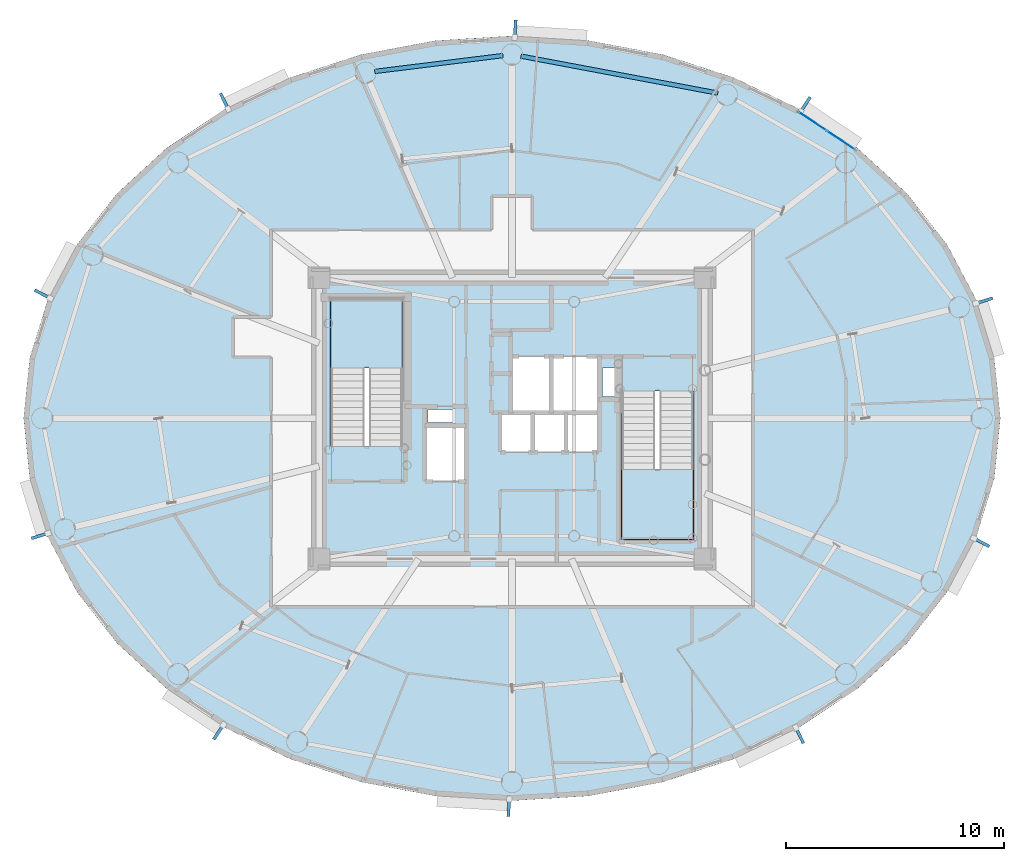
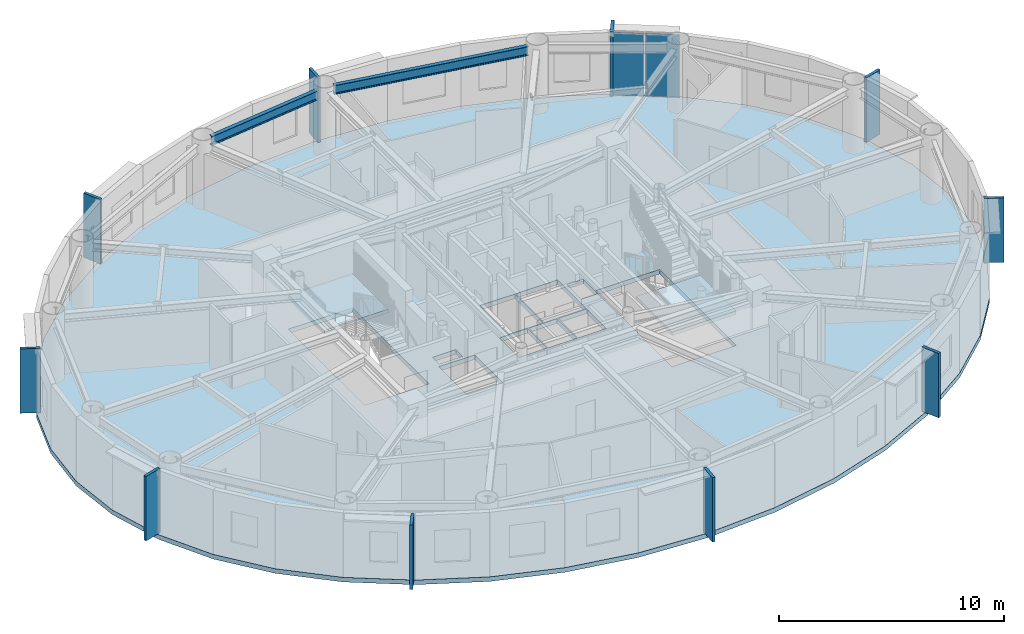
# One storey, part 4 of 17: 12 plates, 3 slabs, 2 beams, 3 elements without a shape of their own.
"""IFC4 building model written with IfcOpenShell, lengths in metres."""

from ifc_helpers import new_model, si_unit, direction, frame, origin, origin_2d, place, context, subcontext, project, spatial, polyline, rectangle, i_section, outline, extrude, source, transform, mapped, material, layer, layer_set, material_profile, profile_set, type_object, element, aggregate, save


model = new_model("IFC4")

# Units and contexts
model_context = context("Model", 3, precision=1e-05, world=origin(), true_north=direction((0.0, 1.0)))
body_context = subcontext(model_context, "Body", "Model", "MODEL_VIEW")
ifc_project = project(units=[si_unit("LENGTHUNIT", "METRE"), si_unit("AREAUNIT", "SQUARE_METRE"), si_unit("VOLUMEUNIT", "CUBIC_METRE"), si_unit("PLANEANGLEUNIT", "RADIAN"), si_unit("MASSUNIT", "GRAM", prefix="KILO")], contexts=[model_context])

# Site, building, storey
site_placement = place(None, origin())
site = spatial("IfcSite", under=ifc_project, at=site_placement, CompositionType="ELEMENT")
building_placement = place(site_placement, origin())
building = spatial("IfcBuilding", under=site, at=building_placement, Name="Linh Dai School and Residence Tower", CompositionType="ELEMENT")
storey_placement = place(building_placement, frame((0.0, 0.0, 310.5)))
storey = spatial("IfcBuildingStorey", under=building, at=storey_placement, Name="L77", CompositionType="ELEMENT", Elevation=310.5)

# Beams
ifc_material_1 = material(Name="Structural Steel S355JR", Category="steel")
ifc_material_profile = material_profile(ifc_material_1, i_section(OverallWidth=0.199951171875, OverallDepth=0.5, WebThickness=0.01025390625, FlangeThickness=0.01611328125, FilletRadius=0.02099609375, at=origin_2d()), Name="IPE 500")
ifc_profile_set = profile_set([ifc_material_profile], Name="Structural Steel S355JR")
beam_type = type_object("IfcBeamType", Name="BM-RB50", PredefinedType="BEAM", material=ifc_profile_set)
beam_1_placement = place(storey_placement, frame((45.441650390625, 41.916259765625, 3.25), z_axis=(-0.982805333306, 0.184644731378, 0.0), x_axis=(-0.184644731378, -0.982805333306, 0.0)))
element("IfcBeam", 1, at=beam_1_placement, inside=storey, type_object=beam_type, Name="L77 Perimeter Elliptical Ring Beam 04", PredefinedType="BEAM", context=body_context, shape_type="SweptSolid", body=[
    extrude(i_section(OverallWidth=0.199951171875, OverallDepth=0.5, WebThickness=0.01025390625, FlangeThickness=0.01611328125, FilletRadius=0.02099609375, at=origin_2d()), origin(), (0.0, 0.0, 1.0), 9.186767578125),
])
beam_2_placement = place(storey_placement, frame((35.583251953125, 43.638427734375, 3.25), z_axis=(-0.992399134443, -0.123060789678, 0.0), x_axis=(0.123060789678, -0.992399134443, 0.0)))
element("IfcBeam", 2, at=beam_2_placement, inside=storey, type_object=beam_type, Name="L77 Perimeter Elliptical Ring Beam 05", PredefinedType="BEAM", context=body_context, shape_type="SweptSolid", body=[
    extrude(i_section(OverallWidth=0.199951171875, OverallDepth=0.5, WebThickness=0.01025390625, FlangeThickness=0.01611328125, FilletRadius=0.02099609375, at=origin_2d()), origin(), (0.0, 0.0, 1.0), 5.923828125),
])

# Slab
ifc_material_2 = material(Name="Concrete B45 (C35/45)", Category="concrete")
ifc_layer_1 = layer(ifc_material_2, 0.25)
ifc_layer_set_1 = layer_set([ifc_layer_1], Name="Concrete B45 (C35/45)")
slab_type_1 = type_object("IfcSlabType", Name="SLB-FLR250", PredefinedType="FLOOR", material=ifc_layer_set_1)
slab_1_placement = place(storey_placement, frame((0.0, 0.0, -0.25)))
element("IfcSlab", 3, at=slab_1_placement, inside=storey, type_object=slab_type_1, Name="L77 Composite Structural Floor Slab", PredefinedType="FLOOR", context=body_context, shape_type="SweptSolid", body=[
    extrude(outline(polyline([(58.39990234375, 27.0), (58.124267578125, 29.743896484375), (57.3037109375, 32.420166015625), (55.95849609375, 34.962890625), (54.1220703125, 37.309814453125), (51.839111328125, 39.402587890625), (49.16650390625, 41.190185546875), (46.16943359375, 42.628173828125), (42.921875, 43.681640625), (39.504150390625, 44.323974609375), (36.0, 44.5400390625), (32.495849609375, 44.323974609375), (29.078125, 43.681640625), (25.83056640625, 42.628173828125), (22.83349609375, 41.190185546875), (20.160888671875, 39.402587890625), (17.8779296875, 37.309814453125), (16.04150390625, 34.962890625), (14.6962890625, 32.420166015625), (13.875732421875, 29.743896484375), (13.60009765625, 27.0), (13.875732421875, 24.256103515625), (14.6962890625, 21.579833984375), (16.04150390625, 19.037109375), (17.8779296875, 16.690185546875), (20.160888671875, 14.597412109375), (22.83349609375, 12.809814453125), (25.83056640625, 11.371826171875), (29.078125, 10.318359375), (32.495849609375, 9.676025390625), (36.0, 9.4599609375), (39.504150390625, 9.676025390625), (42.921875, 10.318359375), (46.16943359375, 11.371826171875), (49.16650390625, 12.809814453125), (51.839111328125, 14.597412109375), (54.1220703125, 16.690185546875), (55.95849609375, 19.037109375), (57.3037109375, 21.579833984375), (58.124267578125, 24.256103515625), (58.39990234375, 27.0)]), holes=[polyline([(30.97998046875, 25.699951171875), (30.97998046875, 32.5), (27.679931640625, 32.5), (27.679931640625, 25.699951171875), (30.97998046875, 25.699951171875)]), polyline([(41.02001953125, 28.25), (41.02001953125, 21.449951171875), (44.320068359375, 21.449951171875), (44.320068359375, 28.25), (41.02001953125, 28.25)]), polyline([(35.97998046875, 27.280029296875), (37.77001953125, 27.280029296875), (37.77001953125, 29.820068359375), (35.97998046875, 29.820068359375), (35.97998046875, 27.280029296875)]), polyline([(32.030029296875, 24.1298828125), (33.8701171875, 24.1298828125), (33.8701171875, 26.6201171875), (32.030029296875, 26.6201171875), (32.030029296875, 24.1298828125)]), polyline([(37.830078125, 27.280029296875), (39.969970703125, 27.280029296875), (39.969970703125, 29.820068359375), (37.830078125, 29.820068359375), (37.830078125, 27.280029296875)]), polyline([(35.47998046875, 25.47998046875), (36.929931640625, 25.47998046875), (36.929931640625, 27.219970703125), (35.47998046875, 27.219970703125), (35.47998046875, 25.47998046875)]), polyline([(36.989990234375, 25.47998046875), (38.449951171875, 25.47998046875), (38.449951171875, 27.219970703125), (36.989990234375, 27.219970703125), (36.989990234375, 25.47998046875)]), polyline([(38.510009765625, 25.47998046875), (39.969970703125, 25.47998046875), (39.969970703125, 27.219970703125), (38.510009765625, 27.219970703125), (38.510009765625, 25.47998046875)]), polyline([(40.14990234375, 28.0), (40.14990234375, 29.300048828125), (41.0, 29.300048828125), (41.0, 28.280029296875), (40.989990234375, 28.280029296875), (40.989990234375, 28.0), (40.14990234375, 28.0)]), polyline([(32.14990234375, 26.800048828125), (33.35009765625, 26.800048828125), (33.35009765625, 27.39990234375), (32.14990234375, 27.39990234375), (32.14990234375, 26.800048828125)])]), origin(), (0.0, 0.0, 1.0), 0.25),
])

# Stair, slab
stair_type = type_object("IfcStairType", Name="ST-DOG-1550-R1442", PredefinedType="HALF_TURN_STAIR", material=ifc_material_2)
stair_1_placement = place(storey_placement, origin())
stair_1 = element("IfcStair", 4, at=stair_1_placement, inside=storey, type_object=stair_type, Name="L77 Core Smokeproof Exit Stair ST1", PredefinedType="HALF_TURN_STAIR")
ifc_layer_2 = layer(ifc_material_2, 0.199951171875)
ifc_layer_set_2 = layer_set([ifc_layer_2], Name="Concrete B45 (C35/45)")
slab_type_2 = type_object("IfcSlabType", Name="SLB-ST-LANDING-200", PredefinedType="LANDING", material=ifc_layer_set_2)
slab_2_placement = place(storey_placement, frame((0.0, 0.0, 1.675048828125)))
slab_2 = element("IfcSlab", 5, at=slab_2_placement, type_object=slab_type_2, Name="ST1 landing 1", PredefinedType="LANDING", context=body_context, shape_type="SweptSolid", body=[
    extrude(outline(polyline([(30.97998046875, 29.300048828125), (30.97998046875, 32.5), (27.679931640625, 32.5), (27.679931640625, 29.300048828125), (30.97998046875, 29.300048828125)])), origin(), (0.0, 0.0, 1.0), 0.199951171875),
])
aggregate(stair_1, [slab_2])

stair_2_placement = place(storey_placement, origin())
stair_2 = element("IfcStair", 6, at=stair_2_placement, inside=storey, type_object=stair_type, Name="L77 Core Smokeproof Exit Stair ST2", PredefinedType="HALF_TURN_STAIR")
slab_3_placement = place(storey_placement, frame((0.0, 0.0, 1.675048828125)))
slab_3 = element("IfcSlab", 7, at=slab_3_placement, type_object=slab_type_2, Name="ST2 landing 1", PredefinedType="LANDING", context=body_context, shape_type="SweptSolid", body=[
    extrude(outline(polyline([(41.02001953125, 24.64990234375), (41.02001953125, 21.449951171875), (44.320068359375, 21.449951171875), (44.320068359375, 24.64990234375), (41.02001953125, 24.64990234375)])), origin(), (0.0, 0.0, 1.0), 0.199951171875),
])
aggregate(stair_2, [slab_3])

# Plates
ifc_material_3 = material(Name="Precast Concrete B45 (C35/45)", Category="concrete")
ifc_layer_3 = layer(ifc_material_3, 0.139892578125)
ifc_layer_set_3 = layer_set([ifc_layer_3], Name="Precast Concrete B45 (C35/45)")
plate_type_1 = type_object("IfcPlateType", Name="FIN-TC-900x140", PredefinedType="USERDEFINED", material=ifc_layer_set_3)
shared_shape_1 = source(origin(), body_context, "Body", "SweptSolid", [
    extrude(rectangle(XDim=0.89990234375, YDim=0.139892578125, at=origin_2d()), origin(), (0.0, 0.0, 1.0), 3.5),
])
for number, where, z_axis, x_axis, name in (
    (8, (57.615478515625, 32.377685546875, 0.0), (0.0, 0.0, 1.0), (0.956069236934, 0.293140945944, 0.0), "L77 Precast Terracotta Radial Fin 02"),
    (9, (49.43212890625, 41.355712890625, 0.0), (0.0, 0.0, 1.0), (0.555907926874, 0.831243873264, 0.0), "L77 Precast Terracotta Radial Fin 06"),
    (10, (36.14501953125, 44.81689453125, 0.0), (0.0, 0.0, 1.0), (0.061509965157, 0.998106469364, 0.0), "L77 Precast Terracotta Radial Fin 10"),
    (11, (22.826171875, 41.503173828125, 0.0), (0.0, 0.0, 1.0), (-0.432611916456, 0.901580240323, 0.0), "L77 Precast Terracotta Radial Fin 14"),
    (12, (14.50537109375, 32.669921875, 0.0), (0.0, 0.0, 1.0), (-0.883938310975, 0.467603531201, 0.0), "L77 Precast Terracotta Radial Fin 18"),
    (13, (14.384521484375, 21.622314453125, 0.0), (0.0, 0.0, 1.0), (-0.956069236934, -0.293140945944, 0.0), "L77 Precast Terracotta Radial Fin 22"),
    (14, (22.56787109375, 12.644287109375, 0.0), (0.0, 0.0, 1.0), (-0.555905765624, -0.831245318631, 0.0), "L77 Precast Terracotta Radial Fin 26"),
    (15, (35.85498046875, 9.18310546875, 0.0), (0.0, 0.0, 1.0), (-0.061509965157, -0.998106469364, 0.0), "L77 Precast Terracotta Radial Fin 30"),
    (16, (49.173828125, 12.496826171875, 0.0), (0.0, 0.0, 1.0), (0.432611916456, -0.901580240323, 0.0), "L77 Precast Terracotta Radial Fin 34"),
    (17, (57.49462890625, 21.330078125, 0.0), (0.0, 0.0, 1.0), (0.883938310975, -0.467603531201, 0.0), "L77 Precast Terracotta Radial Fin 38"),
):
    element("IfcPlate", number, at=place(storey_placement, frame(where, z_axis=z_axis, x_axis=x_axis)), inside=storey, type_object=plate_type_1, Name=name, ObjectType="RADIAL FIN", PredefinedType="USERDEFINED", context=body_context, shape_type="MappedRepresentation", body=[
        mapped(shared_shape_1, transform((0.0, 0.0, 0.0), x_axis=(1.0, 0.0, 0.0), y_axis=(0.0, 1.0, 0.0), z_axis=(0.0, 0.0, 1.0), scale=1.0)),
    ])

# Curtain wall, plates
ifc_material_4 = material(Name="Aluminium Anodised Curtain Wall", Category="aluminium")
ifc_layer_4 = layer(ifc_material_4, 0.14990234375)
ifc_layer_set_4 = layer_set([ifc_layer_4], Name="Aluminium Anodised Curtain Wall")
curtain_wall_type = type_object("IfcCurtainWallType", Name="CW-SYS-4", PredefinedType="USERDEFINED", material=ifc_layer_set_4)
curtain_wall_placement = place(storey_placement, origin())
curtain_wall = element("IfcCurtainWall", 18, at=curtain_wall_placement, inside=storey, type_object=curtain_wall_type, Name="L77 CW4 Curtain Wall 06", ObjectType="RIBBON CURTAIN WALL", PredefinedType="USERDEFINED")
ifc_material_5 = material(Name="Double Low-E Insulated Glazing", Category="glass")
ifc_layer_5 = layer(ifc_material_5, 0.02587890625)
ifc_layer_set_5 = layer_set([ifc_layer_5], Name="Double Low-E Insulated Glazing")
plate_type_2 = type_object("IfcPlateType", Name="CW-SYS-4-PAN", PredefinedType="CURTAIN_PANEL", material=ifc_layer_set_5)
shared_shape_2 = source(origin(), body_context, "Body", "SweptSolid", [
    extrude(rectangle(XDim=1.5205078125, YDim=0.02587890625, at=origin_2d()), origin(), (0.0, 0.0, 1.0), 3.39599609375),
])
plate_1_placement = place(storey_placement, frame((49.77978515625, 40.6298828125, 0.052001953125), z_axis=(0.0, 0.0, 1.0), x_axis=(0.831243873264, -0.555907926874, 0.0)))
plate_1 = element("IfcPlate", 19, at=plate_1_placement, type_object=plate_type_2, Name="CW4 panel 1.1", PredefinedType="CURTAIN_PANEL", context=body_context, shape_type="MappedRepresentation", body=[
    mapped(shared_shape_2, transform((0.0, 0.0, 0.0), x_axis=(1.0, 0.0, 0.0), y_axis=(0.0, 1.0, 0.0), z_axis=(0.0, 0.0, 1.0), scale=1.0)),
])
plate_2_placement = place(storey_placement, frame((51.0869140625, 39.755859375, 0.052001953125), z_axis=(0.0, 0.0, 1.0), x_axis=(0.831243873264, -0.555907926874, 0.0)))
plate_2 = element("IfcPlate", 20, at=plate_2_placement, type_object=plate_type_2, Name="CW4 panel 2.1", PredefinedType="CURTAIN_PANEL", context=body_context, shape_type="MappedRepresentation", body=[
    mapped(shared_shape_2, transform((0.0, 0.0, 0.0), x_axis=(1.0, 0.0, 0.0), y_axis=(0.0, 1.0, 0.0), z_axis=(0.0, 0.0, 1.0), scale=1.0)),
])
aggregate(curtain_wall, [plate_1, plate_2])

save(model, "model.ifc")
